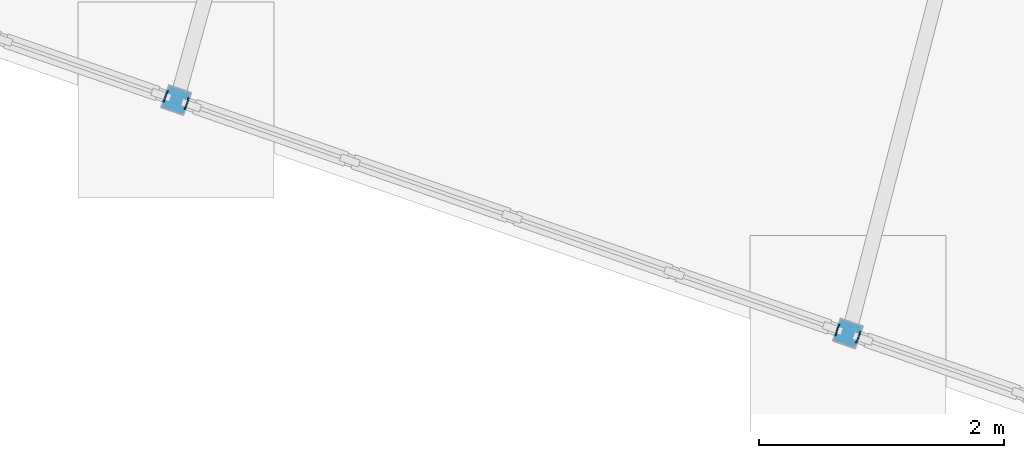
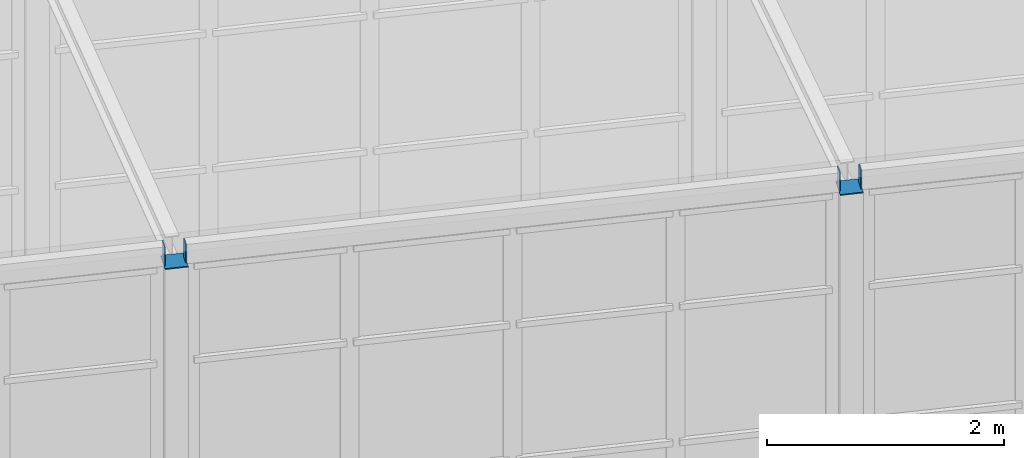
# One storey, part 191 of 226: 6 discrete accessories.
"""IFC4 building model written with IfcOpenShell, lengths in metres."""

from ifc_helpers import new_model, si_unit, direction, frame, origin, origin_2d, place, context, subcontext, project, spatial, rectangle, extrude, material, material_profile, profile_set, type_object, element, save


model = new_model("IFC4")

# Units and contexts
model_context = context("Model", 3, precision=1e-05, world=origin(), true_north=direction((0.0, 1.0)))
body_context = subcontext(model_context, "Body", "Model", "MODEL_VIEW")
ifc_project = project(units=[si_unit("LENGTHUNIT", "METRE"), si_unit("AREAUNIT", "SQUARE_METRE"), si_unit("VOLUMEUNIT", "CUBIC_METRE"), si_unit("PLANEANGLEUNIT", "RADIAN"), si_unit("MASSUNIT", "GRAM", prefix="KILO")], contexts=[model_context])

# Site, building, storey
site_placement = place(None, origin())
site = spatial("IfcSite", under=ifc_project, at=site_placement, CompositionType="ELEMENT")
building_placement = place(site_placement, origin())
building = spatial("IfcBuilding", under=site, at=building_placement, Name="Ceibo Conservatory and Research Tower", CompositionType="ELEMENT")
storey_placement = place(building_placement, origin())
storey = spatial("IfcBuildingStorey", under=building, at=storey_placement, Name="L00", CompositionType="ELEMENT", Elevation=0.0)

# Discrete accessories
ifc_material = material(Name="Steel S355J2", Category="steel")
ifc_material_profile_1 = material_profile(ifc_material, rectangle(XDim=0.10009765625, YDim=0.199951171875, at=origin_2d()), Name="End plate PL 200x100x8")
ifc_profile_set_1 = profile_set([ifc_material_profile_1], Name="Steel S355J2")
discrete_accessory_type_1 = type_object("IfcDiscreteAccessoryType", Name="End plate PL 200x100x8", PredefinedType="USERDEFINED", material=ifc_profile_set_1)
for number, where, z_axis, x_axis, name in (
    (1, (114.049072265625, 48.545166015625, 3.89990234375), (0.938343116817, -0.345705358827, 0.0), (0.345705358827, 0.938343116817, 0.0), "Gallery edge beam AUD-VC-EBS09 end plate"),
    (2, (114.222900390625, 48.484619140625, 3.89990234375), (0.946163984953, -0.323687679063, 0.0), (0.323687679063, 0.946163984953, 0.0), "Gallery edge beam AUD-VC-EBS10 end plate"),
):
    element("IfcDiscreteAccessory", number, at=place(storey_placement, frame(where, z_axis=z_axis, x_axis=x_axis)), inside=storey, type_object=discrete_accessory_type_1, Name=name, ObjectType="End plate", PredefinedType="USERDEFINED", context=body_context, shape_type="SweptSolid", body=[
        extrude(rectangle(XDim=0.10009765625, YDim=0.199951171875, at=origin_2d()), origin(), (0.0, 0.0, 1.0), 0.009765625),
    ])
discrete_accessory_1_placement = place(storey_placement, frame((119.537353515625, 46.6376953125, 3.89990234375), z_axis=(0.948683298051, -0.316227766017, 0.0), x_axis=(0.316227766017, 0.948683298051, 0.0)))
element("IfcDiscreteAccessory", 3, at=discrete_accessory_1_placement, inside=storey, type_object=discrete_accessory_type_1, Name="Gallery edge beam AUD-VC-EBS10 end plate", ObjectType="End plate", PredefinedType="USERDEFINED", context=body_context, shape_type="SweptSolid", body=[
    extrude(rectangle(XDim=0.10009765625, YDim=0.199951171875, at=origin_2d()), origin(), (0.0, 0.0, 1.0), 0.010009765625),
])
discrete_accessory_2_placement = place(storey_placement, frame((119.711181640625, 46.577392578125, 3.89990234375), z_axis=(0.938343116817, -0.345705358827, 0.0), x_axis=(0.345705358827, 0.938343116817, 0.0)))
element("IfcDiscreteAccessory", 4, at=discrete_accessory_2_placement, inside=storey, type_object=discrete_accessory_type_1, Name="Gallery edge beam AUD-VC-EBS11 end plate", ObjectType="End plate", PredefinedType="USERDEFINED", context=body_context, shape_type="SweptSolid", body=[
    extrude(rectangle(XDim=0.10009765625, YDim=0.199951171875, at=origin_2d()), origin(), (0.0, 0.0, 1.0), 0.009765625),
])
ifc_material_profile_2 = material_profile(ifc_material, rectangle(XDim=0.199951171875, YDim=0.199951171875, at=origin_2d()), Name="End plate PL 200x200x10")
ifc_profile_set_2 = profile_set([ifc_material_profile_2], Name="Steel S355J2")
discrete_accessory_type_2 = type_object("IfcDiscreteAccessoryType", Name="End plate PL 200x200x10", PredefinedType="USERDEFINED", material=ifc_profile_set_2)
for number, where, z_axis, x_axis, name in (
    (5, (114.140625, 48.51318359375, 3.798095703125), (0.0, 0.0, 1.0), (0.944579236191, -0.328283515513, 0.0), "Gallery column AUD-VC-CS09 end plate"),
    (6, (119.62890625, 46.60595703125, 3.798095703125), (0.0, 0.0, 1.0), (0.944579236191, -0.328283515513, 0.0), "Gallery column AUD-VC-CS10 end plate"),
):
    element("IfcDiscreteAccessory", number, at=place(storey_placement, frame(where, z_axis=z_axis, x_axis=x_axis)), inside=storey, type_object=discrete_accessory_type_2, Name=name, ObjectType="End plate", PredefinedType="USERDEFINED", context=body_context, shape_type="SweptSolid", body=[
        extrude(rectangle(XDim=0.199951171875, YDim=0.199951171875, at=origin_2d()), origin(), (0.0, 0.0, 1.0), 0.011962890625),
    ])

save(model, "model.ifc")
